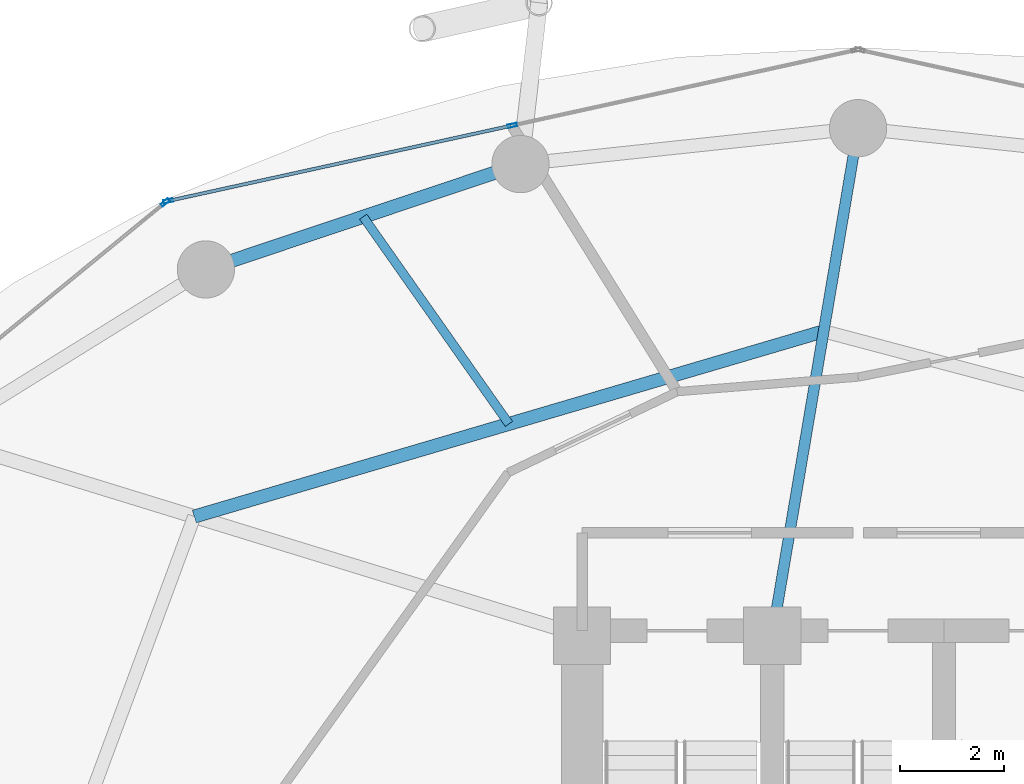
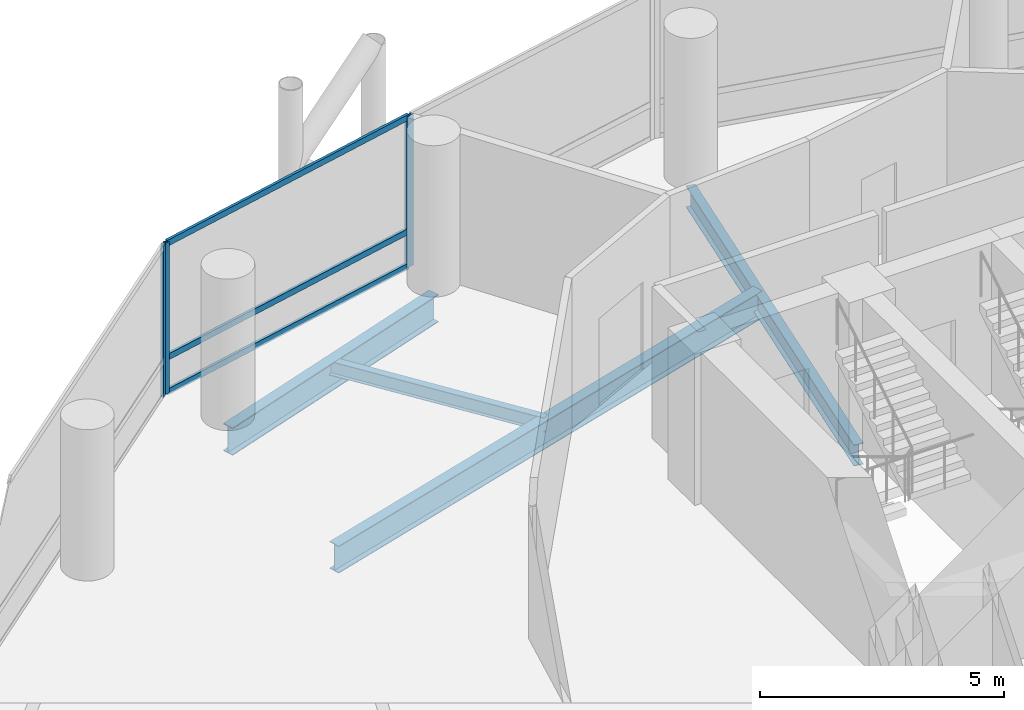
# One storey, part 15 of 24: 6 members, 4 beams, 2 elements without a shape of their own.
"""IFC4 building model written with IfcOpenShell, lengths in metres."""

from ifc_helpers import new_model, si_unit, direction, frame, origin, origin_2d, place, context, subcontext, project, spatial, hollow_rectangle, i_section, extrude, material, layer, layer_set, material_profile, profile_set, type_object, element, aggregate, save


model = new_model("IFC4")

# Units and contexts
model_context = context("Model", 3, precision=1e-05, world=origin(), true_north=direction((0.0, 1.0)))
body_context = subcontext(model_context, "Body", "Model", "MODEL_VIEW")
ifc_project = project(units=[si_unit("LENGTHUNIT", "METRE"), si_unit("AREAUNIT", "SQUARE_METRE"), si_unit("VOLUMEUNIT", "CUBIC_METRE"), si_unit("PLANEANGLEUNIT", "RADIAN"), si_unit("MASSUNIT", "GRAM", prefix="KILO")], contexts=[model_context])

# Site, building, storey
site_placement = place(None, origin())
site = spatial("IfcSite", under=ifc_project, at=site_placement, CompositionType="ELEMENT")
building_placement = place(site_placement, origin())
building = spatial("IfcBuilding", under=site, at=building_placement, Name="Nuhasar Tower", CompositionType="ELEMENT")
storey_placement = place(building_placement, frame((0.0, 0.0, 29.10009765625)))
storey = spatial("IfcBuildingStorey", under=building, at=storey_placement, Name="L06", CompositionType="ELEMENT", Elevation=29.10009765625)

# Beams
ifc_material_1 = material(Name="Steel S355", Category="steel")
ifc_material_profile_1 = material_profile(ifc_material_1, i_section(OverallWidth=0.25390625, OverallDepth=0.68408203125, WebThickness=0.012451171875, FlangeThickness=0.018798828125, at=origin_2d()), Name="W27X94")
ifc_profile_set_1 = profile_set([ifc_material_profile_1], Name="Steel S355")
beam_type_1 = type_object("IfcBeamType", Name="BM-INRING-W27X94", PredefinedType="BEAM", material=ifc_profile_set_1)
beam_1_placement = place(storey_placement, frame((38.340087890625, 43.14990234375, -0.60205078125), z_axis=(-0.959290190666, -0.28242225495, 0.0), x_axis=(0.28242225495, -0.959290190666, 0.0)))
element("IfcBeam", 1, at=beam_1_placement, inside=storey, type_object=beam_type_1, Name="L06 Inner Header Beam 06", PredefinedType="BEAM", context=body_context, shape_type="SweptSolid", body=[
    extrude(i_section(OverallWidth=0.25390625, OverallDepth=0.68408203125, WebThickness=0.012451171875, FlangeThickness=0.018798828125, at=origin_2d()), origin(), (0.0, 0.0, 1.0), 12.60107421875),
])
ifc_material_profile_2 = material_profile(ifc_material_1, i_section(OverallWidth=0.1708984375, OverallDepth=0.35205078125, WebThickness=0.0068359375, FlangeThickness=0.009765625, at=origin_2d()), Name="W14X30")
ifc_profile_set_2 = profile_set([ifc_material_profile_2], Name="Steel S355")
beam_type_2 = type_object("IfcBeamType", Name="BM-JST-W14X30", PredefinedType="JOIST", material=ifc_profile_set_2)
beam_2_placement = place(storey_placement, frame((32.2958984375, 41.3701171875, -0.43603515625), z_axis=(-0.575461088141, 0.817829160666, 0.0), x_axis=(-0.817829160666, -0.575461088141, 0.0)))
element("IfcBeam", 2, at=beam_2_placement, inside=storey, type_object=beam_type_2, Name="L06 Secondary Floor Joist 06", PredefinedType="JOIST", context=body_context, shape_type="SweptSolid", body=[
    extrude(i_section(OverallWidth=0.1708984375, OverallDepth=0.35205078125, WebThickness=0.0068359375, FlangeThickness=0.009765625, at=origin_2d()), origin(), (0.0, 0.0, 1.0), 4.865234375),
])
ifc_material_profile_3 = material_profile(ifc_material_1, i_section(OverallWidth=0.208984375, OverallDepth=0.532958984375, WebThickness=0.01025390625, FlangeThickness=0.015625, at=origin_2d()), Name="W21X62")
ifc_profile_set_3 = profile_set([ifc_material_profile_3], Name="Steel S355")
beam_type_3 = type_object("IfcBeamType", Name="BM-RAD-W21X62", PredefinedType="BEAM", material=ifc_profile_set_3)
beam_3_placement = place(storey_placement, frame((37.35009765625, 37.300048828125, -0.527099609375), z_axis=(0.166848703013, 0.98598251014, 0.0), x_axis=(-0.98598251014, 0.166848703013, 0.0)))
element("IfcBeam", 3, at=beam_3_placement, inside=storey, type_object=beam_type_3, Name="L06 Radial Floor Girder 06", PredefinedType="BEAM", context=body_context, shape_type="SweptSolid", body=[
    extrude(i_section(OverallWidth=0.208984375, OverallDepth=0.532958984375, WebThickness=0.01025390625, FlangeThickness=0.015625, at=origin_2d()), origin(), (0.0, 0.0, 1.0), 9.888671875),
])
ifc_material_profile_4 = material_profile(ifc_material_1, i_section(OverallWidth=0.256103515625, OverallDepth=0.693115234375, WebThickness=0.014404296875, FlangeThickness=0.023681640625, at=origin_2d()), Name="W27X114")
ifc_profile_set_4 = profile_set([ifc_material_profile_4], Name="Steel S355")
beam_type_4 = type_object("IfcBeamType", Name="BM-RING-W27X114", PredefinedType="SPANDREL", material=ifc_profile_set_4)
beam_4_placement = place(storey_placement, frame((32.51708984375, 46.360107421875, -0.606201171875), z_axis=(-0.948249435708, -0.317526388949, 0.0), x_axis=(0.317526388949, -0.948249435708, 0.0)))
element("IfcBeam", 4, at=beam_4_placement, inside=storey, type_object=beam_type_4, Name="L06 Perimeter Ring Spandrel 08", PredefinedType="SPANDREL", context=body_context, shape_type="SweptSolid", body=[
    extrude(i_section(OverallWidth=0.256103515625, OverallDepth=0.693115234375, WebThickness=0.014404296875, FlangeThickness=0.023681640625, at=origin_2d()), origin(), (0.0, 0.0, 1.0), 6.371826171875),
])

# Curtain wall, members
ifc_material_2 = material(Name="Aluminium 6063-T6", Category="aluminium")
ifc_layer = layer(ifc_material_2, 0.199951171875)
ifc_layer_set = layer_set([ifc_layer], Name="Aluminium 6063-T6")
curtain_wall_type = type_object("IfcCurtainWallType", Name="CW-Z1-OFF", PredefinedType="NOTDEFINED", material=ifc_layer_set)
curtain_wall_1_placement = place(storey_placement, origin())
curtain_wall_1 = element("IfcCurtainWall", 5, at=curtain_wall_1_placement, inside=storey, type_object=curtain_wall_type, Name="L06 Unitised Curtain Wall 04", PredefinedType="NOTDEFINED")
ifc_material_profile_5 = material_profile(ifc_material_2, hollow_rectangle(XDim=0.06494140625, YDim=0.179931640625, WallThickness=0.0048828125, at=origin_2d()), Name="CWM-2")
ifc_profile_set_5 = profile_set([ifc_material_profile_5], Name="Aluminium 6063-T6")
member_type_1 = type_object("IfcMemberType", Name="CW-MUL-S2", PredefinedType="MULLION", material=ifc_profile_set_5)
member_1_placement = place(storey_placement, frame((32.360107421875, 47.1025390625, 0.0), z_axis=(0.0, 0.0, 1.0), x_axis=(0.214398737637, -0.976746221544, 0.0)))
member_1 = element("IfcMember", 6, at=member_1_placement, type_object=member_type_1, Name="CW-Z1 mullion 2", PredefinedType="MULLION", context=body_context, shape_type="SweptSolid", body=[
    extrude(hollow_rectangle(XDim=0.06494140625, YDim=0.179931640625, WallThickness=0.0048828125, at=origin_2d()), origin(), (0.0, 0.0, 1.0), 3.789794921875),
])
member_2_placement = place(storey_placement, frame((25.751708984375, 45.65185546875, 0.0), z_axis=(0.0, 0.0, 1.0), x_axis=(0.214398737637, -0.976746221544, 0.0)))
member_2 = element("IfcMember", 7, at=member_2_placement, type_object=member_type_1, Name="CW-Z1 mullion 3", PredefinedType="MULLION", context=body_context, shape_type="SweptSolid", body=[
    extrude(hollow_rectangle(XDim=0.06494140625, YDim=0.179931640625, WallThickness=0.0048828125, at=origin_2d()), origin(), (0.0, 0.0, 1.0), 3.789794921875),
])

# Curtain wall, member
curtain_wall_2_placement = place(storey_placement, origin())
curtain_wall_2 = element("IfcCurtainWall", 8, at=curtain_wall_2_placement, inside=storey, type_object=curtain_wall_type, Name="L06 Unitised Curtain Wall 05", PredefinedType="NOTDEFINED")
member_3_placement = place(storey_placement, frame((25.69482421875, 45.62451171875, 0.0), z_axis=(0.0, 0.0, 1.0), x_axis=(0.633744593376, -0.773542364946, 0.0)))
member_3 = element("IfcMember", 9, at=member_3_placement, type_object=member_type_1, Name="CW-Z1 mullion 1", PredefinedType="MULLION", context=body_context, shape_type="SweptSolid", body=[
    extrude(hollow_rectangle(XDim=0.06494140625, YDim=0.179931640625, WallThickness=0.0048828125, at=origin_2d()), origin(), (0.0, 0.0, 1.0), 3.789794921875),
])
aggregate(curtain_wall_2, [member_3])

# Member
ifc_material_profile_6 = material_profile(ifc_material_2, hollow_rectangle(XDim=0.06494140625, YDim=0.14990234375, WallThickness=0.00439453125, at=origin_2d()), Name="CWT-2")
ifc_profile_set_6 = profile_set([ifc_material_profile_6], Name="Aluminium 6063-T6")
member_type_2 = type_object("IfcMemberType", Name="CW-TRN-S2", PredefinedType="USERDEFINED", material=ifc_profile_set_6)
member_4_placement = place(storey_placement, frame((32.328369140625, 47.095458984375, 0.032470703125), z_axis=(-0.976749553792, -0.214383556196, 0.0), x_axis=(0.214383556196, -0.976749553792, 0.0)))
member_4 = element("IfcMember", 10, at=member_4_placement, type_object=member_type_2, Name="CW-Z1 transom 2.1", ObjectType="TRANSOM", PredefinedType="USERDEFINED", context=body_context, shape_type="SweptSolid", body=[
    extrude(hollow_rectangle(XDim=0.06494140625, YDim=0.14990234375, WallThickness=0.00439453125, at=origin_2d()), origin(), (0.0, 0.0, 1.0), 6.70068359375),
])

member_5_placement = place(storey_placement, frame((32.328369140625, 47.095458984375, 0.89990234375), z_axis=(-0.976749553792, -0.214383556196, 0.0), x_axis=(0.214383556196, -0.976749553792, 0.0)))
member_5 = element("IfcMember", 11, at=member_5_placement, type_object=member_type_2, Name="CW-Z1 transom 2.2", ObjectType="TRANSOM", PredefinedType="USERDEFINED", context=body_context, shape_type="SweptSolid", body=[
    extrude(hollow_rectangle(XDim=0.06494140625, YDim=0.14990234375, WallThickness=0.00439453125, at=origin_2d()), origin(), (0.0, 0.0, 1.0), 6.70068359375),
])

member_6_placement = place(storey_placement, frame((32.328369140625, 47.095458984375, 3.75732421875), z_axis=(-0.976749553792, -0.214383556196, 0.0), x_axis=(0.214383556196, -0.976749553792, 0.0)))
member_6 = element("IfcMember", 12, at=member_6_placement, type_object=member_type_2, Name="CW-Z1 transom 2.3", ObjectType="TRANSOM", PredefinedType="USERDEFINED", context=body_context, shape_type="SweptSolid", body=[
    extrude(hollow_rectangle(XDim=0.06494140625, YDim=0.14990234375, WallThickness=0.00439453125, at=origin_2d()), origin(), (0.0, 0.0, 1.0), 6.70068359375),
])

aggregate(curtain_wall_1, [member_1, member_2, member_4, member_5, member_6])

save(model, "model.ifc")
